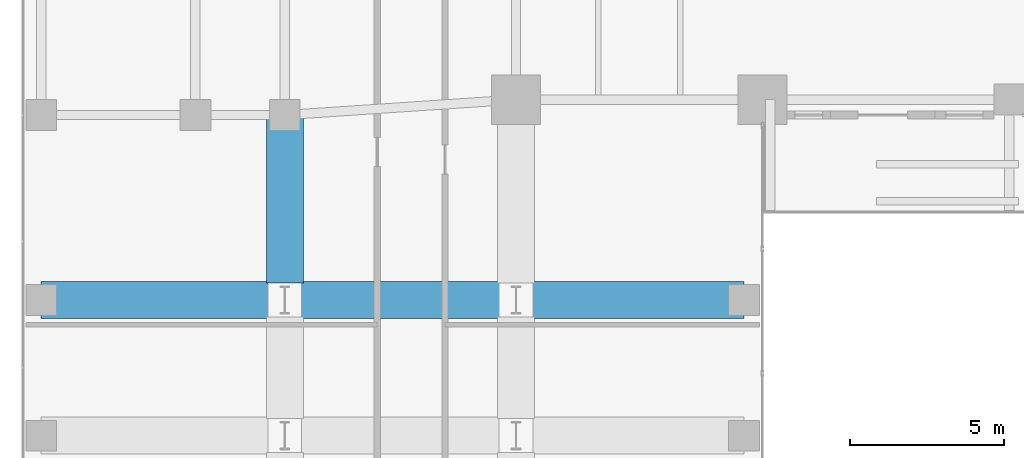
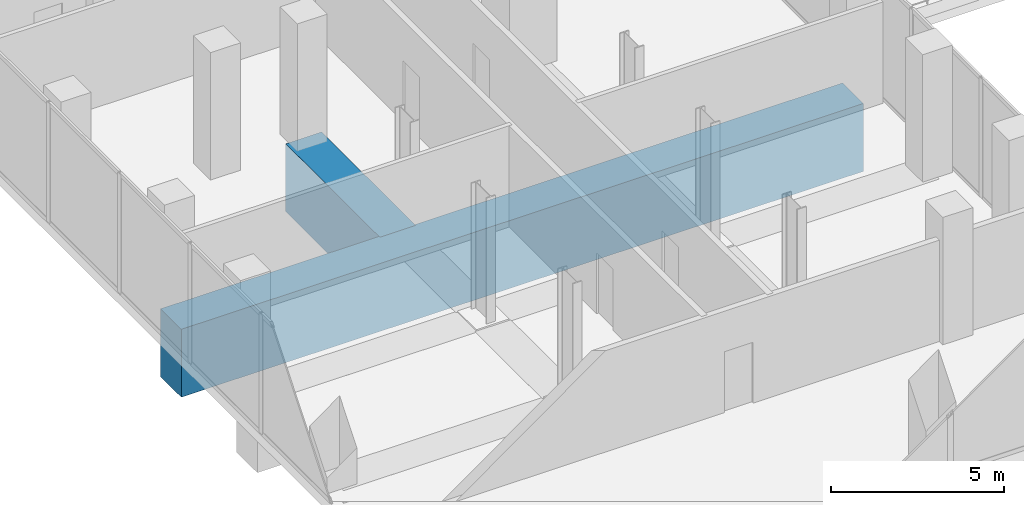
# One storey, part 7 of 24: 2 beams.
"""IFC4 building model written with IfcOpenShell, lengths in metres."""

from ifc_helpers import new_model, si_unit, direction, frame, origin, origin_2d, place, context, subcontext, project, spatial, rectangle, extrude, material, material_profile, profile_set, type_object, element, save


model = new_model("IFC4")

# Units and contexts
model_context = context("Model", 3, precision=1e-05, world=origin(), true_north=direction((0.0, 1.0)))
body_context = subcontext(model_context, "Body", "Model", "MODEL_VIEW")
ifc_project = project(units=[si_unit("LENGTHUNIT", "METRE"), si_unit("AREAUNIT", "SQUARE_METRE"), si_unit("VOLUMEUNIT", "CUBIC_METRE"), si_unit("PLANEANGLEUNIT", "RADIAN"), si_unit("MASSUNIT", "GRAM", prefix="KILO")], contexts=[model_context])

# Site, building, storey
site_placement = place(None, origin())
site = spatial("IfcSite", under=ifc_project, at=site_placement, CompositionType="ELEMENT")
building_placement = place(site_placement, origin())
building = spatial("IfcBuilding", under=site, at=building_placement, Name="Catumbela Crestline Tower", CompositionType="ELEMENT")
storey_placement = place(building_placement, frame((0.0, 0.0, 21.3)))
storey = spatial("IfcBuildingStorey", under=building, at=storey_placement, Name="L04", CompositionType="ELEMENT", Elevation=21.3)

# Beams
ifc_material = material(Name="Concrete C60/75", Category="concrete")
ifc_material_profile = material_profile(ifc_material, rectangle(XDim=1.2, YDim=2.4, at=origin_2d()), Name="RC 1200x2400")
ifc_profile_set = profile_set([ifc_material_profile], Name="Concrete C60/75")
beam_type = type_object("IfcBeamType", Name="TG-2400", PredefinedType="BEAM", material=ifc_profile_set)
beam_1_placement = place(storey_placement, frame((0.6, 18.0, -1.2), z_axis=(1.0, 0.0, 0.0), x_axis=(0.0, 1.0, 0.0)))
element("IfcBeam", 1, at=beam_1_placement, inside=storey, type_object=beam_type, Name="L04 Transfer Girder TG-L04-EW3", PredefinedType="BEAM", context=body_context, shape_type="SweptSolid", body=[
    extrude(rectangle(XDim=1.2, YDim=2.4, at=origin_2d()), origin(), (0.0, 0.0, 1.0), 22.8),
])
beam_2_placement = place(storey_placement, frame((8.5, 18.55, -1.2), z_axis=(0.0, 1.0, 0.0), x_axis=(-1.0, 0.0, 0.0)))
element("IfcBeam", 2, at=beam_2_placement, inside=storey, type_object=beam_type, Name="L04 Transfer Girder TG-L04-NS3", PredefinedType="BEAM", context=body_context, shape_type="SweptSolid", body=[
    extrude(rectangle(XDim=1.2, YDim=2.4, at=origin_2d()), origin(), (0.0, 0.0, 1.0), 5.45),
])

save(model, "model.ifc")
